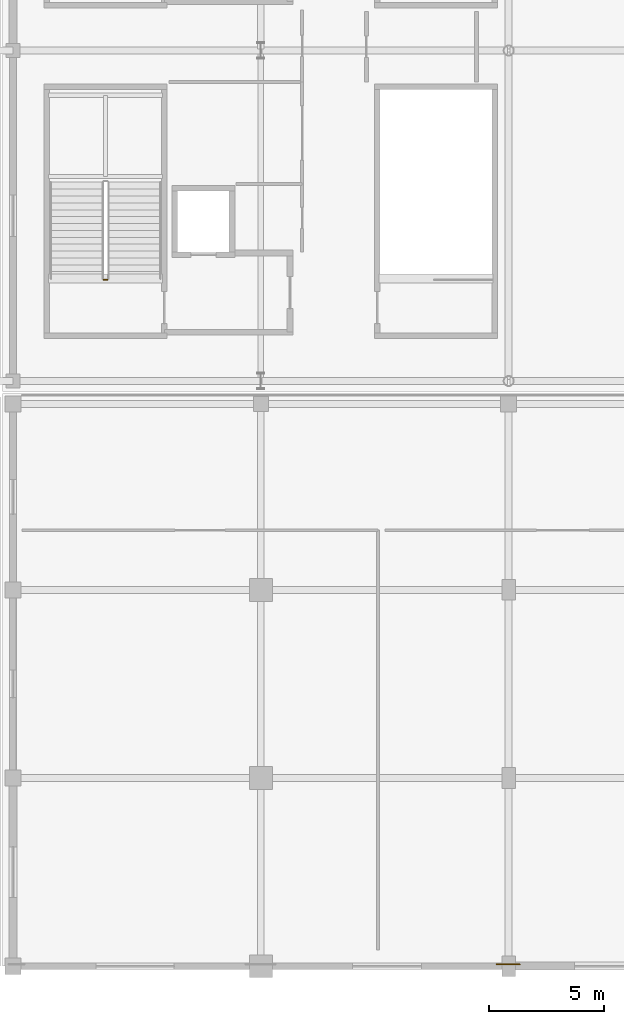
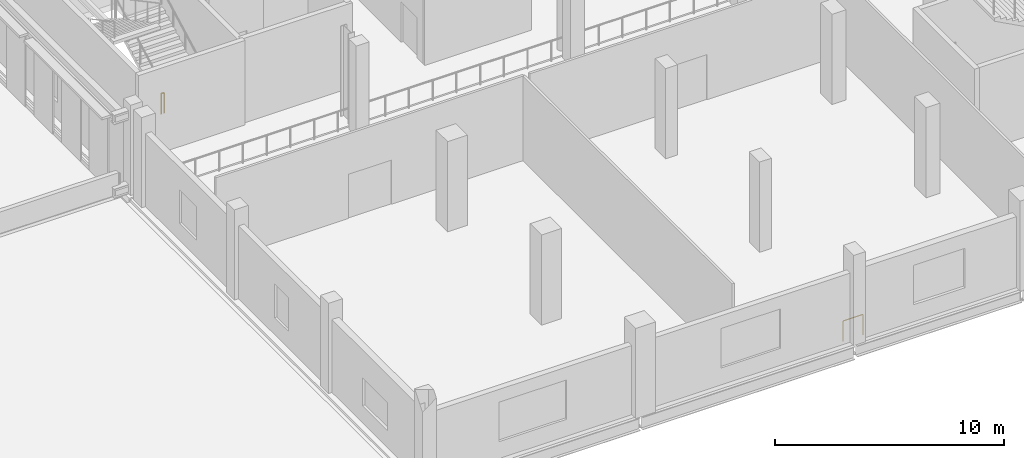
# One storey, part 50 of 74: 2 railings.
"""IFC4 building model written with IfcOpenShell, lengths in metres."""

from ifc_helpers import new_model, si_unit, direction, frame, origin, origin_2d, place, context, subcontext, project, spatial, circle, extrude, material, type_object, element, save


model = new_model("IFC4")

# Units and contexts
model_context = context("Model", 3, precision=1e-05, world=origin(), true_north=direction((0.0, 1.0)))
body_context = subcontext(model_context, "Body", "Model", "MODEL_VIEW")
ifc_project = project(units=[si_unit("LENGTHUNIT", "METRE"), si_unit("AREAUNIT", "SQUARE_METRE"), si_unit("VOLUMEUNIT", "CUBIC_METRE"), si_unit("PLANEANGLEUNIT", "RADIAN"), si_unit("MASSUNIT", "GRAM", prefix="KILO")], contexts=[model_context])

# Site, building, storey
site_placement = place(None, origin())
site = spatial("IfcSite", under=ifc_project, at=site_placement, CompositionType="ELEMENT")
building_placement = place(site_placement, origin())
building = spatial("IfcBuilding", under=site, at=building_placement, Name="Koshinbarg Plaza Stadium", CompositionType="ELEMENT")
storey_placement = place(building_placement, frame((0.0, 0.0, 15.0)))
storey = spatial("IfcBuildingStorey", under=building, at=storey_placement, Name="L03", CompositionType="ELEMENT", Elevation=15.0)

# Railings
ifc_material_1 = material(Name="Toughened laminated glass and stainless steel sightline balustrade", Category="steel")
railing_type_1 = type_object("IfcRailingType", Name="RL-BOWL-1100", PredefinedType="BALUSTRADE", material=ifc_material_1)
railing_1_placement = place(storey_placement, frame((46.67431640625, 0.080078125, 0.0)))
element("IfcRailing", 1, at=railing_1_placement, inside=storey, type_object=railing_type_1, Name="L03 deck edge safety balustrade 0263", PredefinedType="BALUSTRADE", context=body_context, shape_type="SweptSolid", body=[
    extrude(circle(Radius=0.02392578125, at=origin_2d()), frame((0.0, 0.0, 1.076171875), z_axis=(-1.0, 0.0, 0.0), x_axis=(0.0, -1.0, 0.0)), (0.0, 0.0, 1.0), 0.99951171875),
    extrude(circle(Radius=0.02099609375, at=origin_2d()), origin(), (0.0, 0.0, 1.0), 1.052001953125),
    extrude(circle(Radius=0.02099609375, at=origin_2d()), frame((-0.99951171875, 0.0, 0.0)), (0.0, 0.0, 1.0), 1.052001953125),
])
ifc_material_2 = material(Name="Galvanized painted steel guardrail", Category="steel")
railing_type_2 = type_object("IfcRailingType", Name="RL-GUARD-1100", PredefinedType="GUARDRAIL", material=ifc_material_2)
railing_2_placement = place(storey_placement, frame((28.7099609375, 29.909912109375, 0.0)))
element("IfcRailing", 2, at=railing_2_placement, inside=storey, type_object=railing_type_2, Name="L03 C01 stair guard 4", PredefinedType="GUARDRAIL", context=body_context, shape_type="SweptSolid", body=[
    extrude(circle(Radius=0.02392578125, at=origin_2d()), frame((0.0, 0.0, 1.076171875), z_axis=(-1.0, 0.0, 0.0), x_axis=(0.0, -1.0, 0.0)), (0.0, 0.0, 1.0), 0.14990234375),
    extrude(circle(Radius=0.02099609375, at=origin_2d()), origin(), (0.0, 0.0, 1.0), 1.052001953125),
    extrude(circle(Radius=0.02099609375, at=origin_2d()), frame((-0.14990234375, 0.0, 0.0)), (0.0, 0.0, 1.0), 1.052001953125),
])

save(model, "model.ifc")
